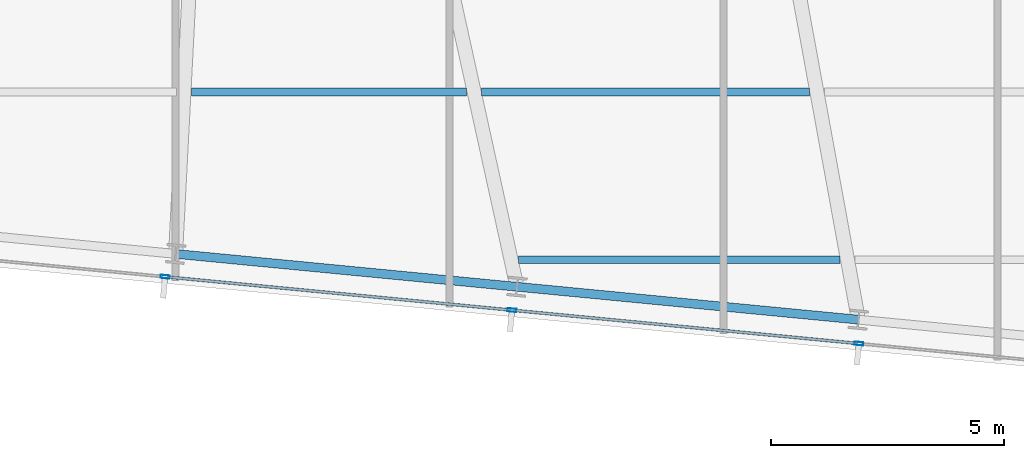
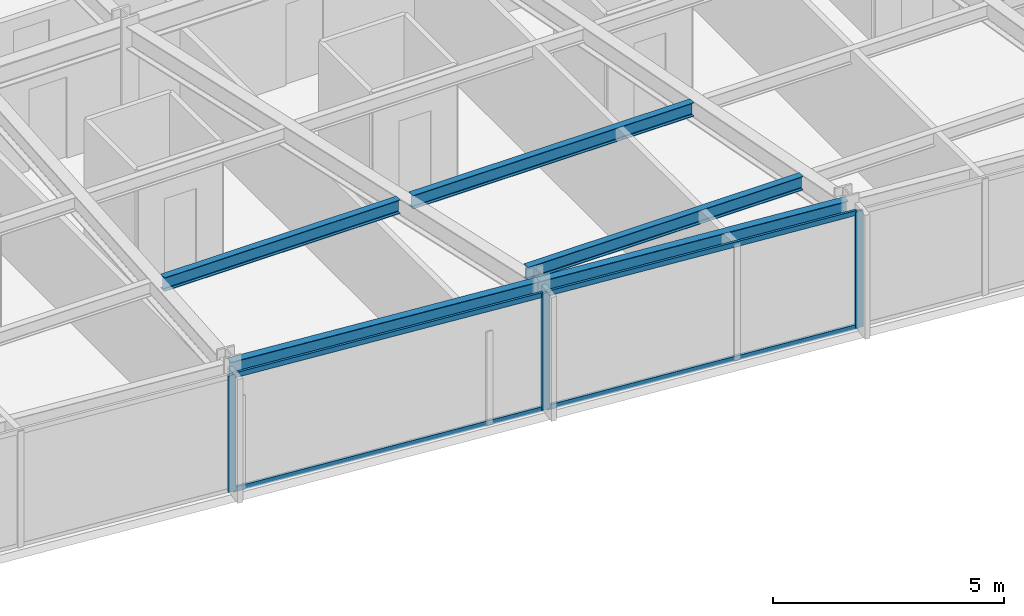
# One storey, part 6 of 37: 7 members, 5 beams, 1 element without a shape of its own.
"""IFC4 building model written with IfcOpenShell, lengths in metres."""

from ifc_helpers import new_model, si_unit, direction, frame, origin, origin_2d, place, context, subcontext, project, spatial, hollow_rectangle, i_section, extrude, material, material_profile, profile_set, type_object, element, aggregate, save


model = new_model("IFC4")

# Units and contexts
model_context = context("Model", 3, precision=1e-05, world=origin(), true_north=direction((0.0, 1.0)))
body_context = subcontext(model_context, "Body", "Model", "MODEL_VIEW")
ifc_project = project(units=[si_unit("LENGTHUNIT", "METRE"), si_unit("AREAUNIT", "SQUARE_METRE"), si_unit("VOLUMEUNIT", "CUBIC_METRE"), si_unit("PLANEANGLEUNIT", "RADIAN"), si_unit("MASSUNIT", "GRAM", prefix="KILO")], contexts=[model_context])

# Site, building, storey
site_placement = place(None, origin())
site = spatial("IfcSite", under=ifc_project, at=site_placement, CompositionType="ELEMENT")
building_placement = place(site_placement, origin())
building = spatial("IfcBuilding", under=site, at=building_placement, Name="Yelkora Congress Tower", CompositionType="ELEMENT")
storey_placement = place(building_placement, frame((0.0, 0.0, 162.199951171875)))
storey = spatial("IfcBuildingStorey", under=building, at=storey_placement, Name="L44", CompositionType="ELEMENT", Elevation=162.199951171875)

# Beams
ifc_material_1 = material(Name="Steel S355J2", Category="steel")
ifc_material_profile_1 = material_profile(ifc_material_1, i_section(OverallWidth=0.169921875, OverallDepth=0.360107421875, WebThickness=0.008056640625, FlangeThickness=0.0126953125, FilletRadius=0.01806640625, at=origin_2d()), Name="IPE 360")
ifc_profile_set_1 = profile_set([ifc_material_profile_1], Name="Steel S355J2")
beam_type_1 = type_object("IfcBeamType", Name="BM-JOIST-IPE360", PredefinedType="JOIST", material=ifc_profile_set_1)
beam_1_placement = place(storey_placement, frame((25.921630859375, 12.8212890625, 2.900146484375), z_axis=(1.0, 0.0, 0.0), x_axis=(0.0, 1.0, 0.0)))
element("IfcBeam", 1, at=beam_1_placement, inside=storey, type_object=beam_type_1, Name="L44 Composite Floor Joist 1", PredefinedType="JOIST", context=body_context, shape_type="SweptSolid", body=[
    extrude(i_section(OverallWidth=0.169921875, OverallDepth=0.360107421875, WebThickness=0.008056640625, FlangeThickness=0.0126953125, FilletRadius=0.01806640625, at=origin_2d()), origin(), (0.0, 0.0, 1.0), 6.896484375),
])
beam_2_placement = place(storey_placement, frame((18.905517578125, 16.421142578125, 2.900146484375), z_axis=(1.0, 0.0, 0.0), x_axis=(0.0, 1.0, 0.0)))
element("IfcBeam", 2, at=beam_2_placement, inside=storey, type_object=beam_type_1, Name="L44 Composite Floor Joist 7", PredefinedType="JOIST", context=body_context, shape_type="SweptSolid", body=[
    extrude(i_section(OverallWidth=0.169921875, OverallDepth=0.360107421875, WebThickness=0.008056640625, FlangeThickness=0.0126953125, FilletRadius=0.01806640625, at=origin_2d()), origin(), (0.0, 0.0, 1.0), 5.904541015625),
])
beam_3_placement = place(storey_placement, frame((25.130126953125, 16.421142578125, 2.900146484375), z_axis=(1.0, 0.0, 0.0), x_axis=(0.0, 1.0, 0.0)))
element("IfcBeam", 3, at=beam_3_placement, inside=storey, type_object=beam_type_1, Name="L44 Composite Floor Joist 8", PredefinedType="JOIST", context=body_context, shape_type="SweptSolid", body=[
    extrude(i_section(OverallWidth=0.169921875, OverallDepth=0.360107421875, WebThickness=0.008056640625, FlangeThickness=0.0126953125, FilletRadius=0.01806640625, at=origin_2d()), origin(), (0.0, 0.0, 1.0), 7.03125),
])
ifc_material_profile_2 = material_profile(ifc_material_1, i_section(OverallWidth=0.18994140625, OverallDepth=0.449951171875, WebThickness=0.009521484375, FlangeThickness=0.0146484375, FilletRadius=0.02099609375, at=origin_2d()), Name="IPE 450")
ifc_profile_set_2 = profile_set([ifc_material_profile_2], Name="Steel S355J2")
beam_type_2 = type_object("IfcBeamType", Name="BM-SPAN-IPE450", PredefinedType="SPANDREL", material=ifc_profile_set_2)
beam_4_placement = place(storey_placement, frame((18.56591796875, 12.947021484375, 2.85498046875), z_axis=(0.99539363353, -0.09587238564, 0.0), x_axis=(0.09587238564, 0.99539363353, 0.0)))
element("IfcBeam", 4, at=beam_4_placement, inside=storey, type_object=beam_type_2, Name="L44 Perimeter Beam 4", PredefinedType="SPANDREL", context=body_context, shape_type="SweptSolid", body=[
    extrude(i_section(OverallWidth=0.18994140625, OverallDepth=0.449951171875, WebThickness=0.009521484375, FlangeThickness=0.0146484375, FilletRadius=0.02099609375, at=origin_2d()), origin(), (0.0, 0.0, 1.0), 7.35693359375),
])
beam_5_placement = place(storey_placement, frame((25.888916015625, 12.24169921875, 2.85498046875), z_axis=(0.995397409467, -0.095833173935, 0.0), x_axis=(0.095833173935, 0.995397409467, 0.0)))
element("IfcBeam", 5, at=beam_5_placement, inside=storey, type_object=beam_type_2, Name="L44 Perimeter Beam 5", PredefinedType="SPANDREL", context=body_context, shape_type="SweptSolid", body=[
    extrude(i_section(OverallWidth=0.18994140625, OverallDepth=0.449951171875, WebThickness=0.009521484375, FlangeThickness=0.0146484375, FilletRadius=0.02099609375, at=origin_2d()), origin(), (0.0, 0.0, 1.0), 7.357421875),
])

# Curtain wall, members
ifc_material_2 = material(Name="Anodised aluminium and insulated glass", Category="aluminium")
curtain_wall_type = type_object("IfcCurtainWallType", Name="CW-SYS-B3", PredefinedType="NOTDEFINED", material=ifc_material_2)
curtain_wall_placement = place(storey_placement, origin())
curtain_wall = element("IfcCurtainWall", 6, at=curtain_wall_placement, inside=storey, type_object=curtain_wall_type, Name="L44 Unitised Curtain Wall 20", PredefinedType="NOTDEFINED")
ifc_material_3 = material(Name="Anodised aluminium 6063-T6", Category="aluminium")
ifc_material_profile_3 = material_profile(ifc_material_3, hollow_rectangle(XDim=0.070068359375, YDim=0.18994140625, WallThickness=0.00390625, at=origin_2d()), Name="ALU 70x190x4")
ifc_profile_set_3 = profile_set([ifc_material_profile_3], Name="Anodised aluminium 6063-T6")
member_type_1 = type_object("IfcMemberType", Name="MEM-ML-B3", PredefinedType="MULLION", material=ifc_profile_set_3)
member_1_placement = place(storey_placement, frame((33.2216796875, 11.0234375, 0.0), z_axis=(0.0, 0.0, 1.0), x_axis=(-0.095844680679, -0.995396301573, 0.0)))
member_1 = element("IfcMember", 7, at=member_1_placement, type_object=member_type_1, Name="CW-B3 mullion 4", PredefinedType="MULLION", context=body_context, shape_type="SweptSolid", body=[
    extrude(hollow_rectangle(XDim=0.070068359375, YDim=0.18994140625, WallThickness=0.00390625, at=origin_2d()), origin(), (0.0, 0.0, 1.0), 3.080078125),
])
member_2_placement = place(storey_placement, frame((25.78173828125, 11.73974609375, 0.0), z_axis=(0.0, 0.0, 1.0), x_axis=(-0.095844680679, -0.995396301573, 0.0)))
member_2 = element("IfcMember", 8, at=member_2_placement, type_object=member_type_1, Name="CW-B3 mullion 5", PredefinedType="MULLION", context=body_context, shape_type="SweptSolid", body=[
    extrude(hollow_rectangle(XDim=0.070068359375, YDim=0.18994140625, WallThickness=0.00390625, at=origin_2d()), origin(), (0.0, 0.0, 1.0), 3.080078125),
])
member_3_placement = place(storey_placement, frame((18.342041015625, 12.4560546875, 0.0), z_axis=(0.0, 0.0, 1.0), x_axis=(-0.095844680679, -0.995396301573, 0.0)))
member_3 = element("IfcMember", 9, at=member_3_placement, type_object=member_type_1, Name="CW-B3 mullion 6", PredefinedType="MULLION", context=body_context, shape_type="SweptSolid", body=[
    extrude(hollow_rectangle(XDim=0.070068359375, YDim=0.18994140625, WallThickness=0.00390625, at=origin_2d()), origin(), (0.0, 0.0, 1.0), 3.080078125),
])
ifc_material_profile_4 = material_profile(ifc_material_3, hollow_rectangle(XDim=0.06005859375, YDim=0.1298828125, WallThickness=0.00390625, at=origin_2d()), Name="ALU 60x130x4")
ifc_profile_set_4 = profile_set([ifc_material_profile_4], Name="Anodised aluminium 6063-T6")
member_type_2 = type_object("IfcMemberType", Name="MEM-TR-B3", PredefinedType="USERDEFINED", material=ifc_profile_set_4)
member_4_placement = place(storey_placement, frame((33.18701171875, 11.02685546875, 0.030029296875), z_axis=(-0.995398934959, 0.095817327669, 0.0), x_axis=(-0.095817327669, -0.995398934959, 0.0)))
member_4 = element("IfcMember", 10, at=member_4_placement, type_object=member_type_2, Name="CW-B3 transom 4.1", ObjectType="TRANSOM", PredefinedType="USERDEFINED", context=body_context, shape_type="SweptSolid", body=[
    extrude(hollow_rectangle(XDim=0.06005859375, YDim=0.1298828125, WallThickness=0.00390625, at=origin_2d()), origin(), (0.0, 0.0, 1.0), 7.404541015625),
])
member_5_placement = place(storey_placement, frame((33.18701171875, 11.02685546875, 3.050048828125), z_axis=(-0.995398934959, 0.095817327669, 0.0), x_axis=(-0.095817327669, -0.995398934959, 0.0)))
member_5 = element("IfcMember", 11, at=member_5_placement, type_object=member_type_2, Name="CW-B3 transom 4.2", ObjectType="TRANSOM", PredefinedType="USERDEFINED", context=body_context, shape_type="SweptSolid", body=[
    extrude(hollow_rectangle(XDim=0.06005859375, YDim=0.1298828125, WallThickness=0.00390625, at=origin_2d()), origin(), (0.0, 0.0, 1.0), 7.404541015625),
])
member_6_placement = place(storey_placement, frame((25.7470703125, 11.7431640625, 0.030029296875), z_axis=(-0.995395789658, 0.095849997036, 0.0), x_axis=(-0.095849997036, -0.995395789658, 0.0)))
member_6 = element("IfcMember", 12, at=member_6_placement, type_object=member_type_2, Name="CW-B3 transom 5.1", ObjectType="TRANSOM", PredefinedType="USERDEFINED", context=body_context, shape_type="SweptSolid", body=[
    extrude(hollow_rectangle(XDim=0.06005859375, YDim=0.1298828125, WallThickness=0.00390625, at=origin_2d()), origin(), (0.0, 0.0, 1.0), 7.404541015625),
])
member_7_placement = place(storey_placement, frame((25.7470703125, 11.7431640625, 3.050048828125), z_axis=(-0.995395789658, 0.095849997036, 0.0), x_axis=(-0.095849997036, -0.995395789658, 0.0)))
member_7 = element("IfcMember", 13, at=member_7_placement, type_object=member_type_2, Name="CW-B3 transom 5.2", ObjectType="TRANSOM", PredefinedType="USERDEFINED", context=body_context, shape_type="SweptSolid", body=[
    extrude(hollow_rectangle(XDim=0.06005859375, YDim=0.1298828125, WallThickness=0.00390625, at=origin_2d()), origin(), (0.0, 0.0, 1.0), 7.404541015625),
])
aggregate(curtain_wall, [member_1, member_2, member_3, member_4, member_5, member_6, member_7])

save(model, "model.ifc")
